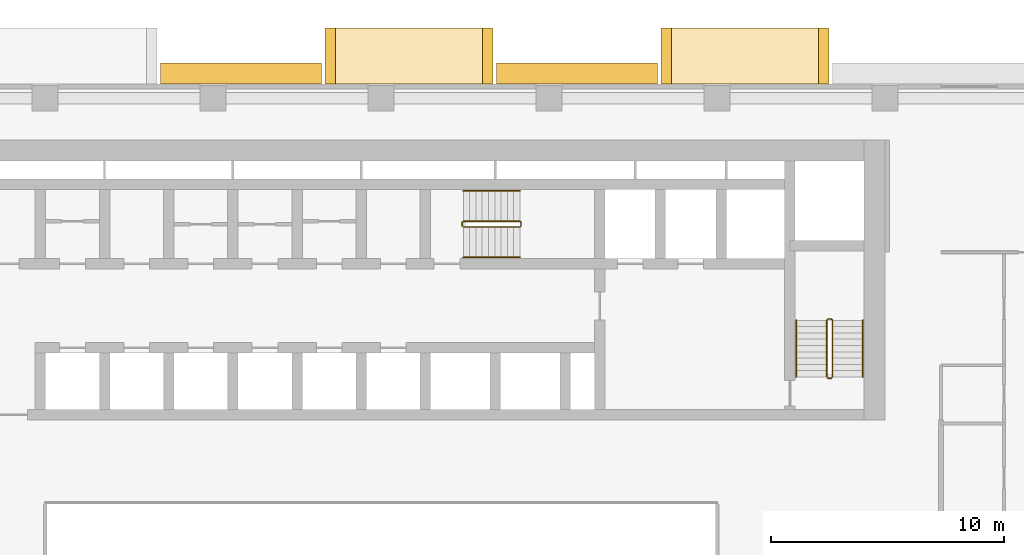
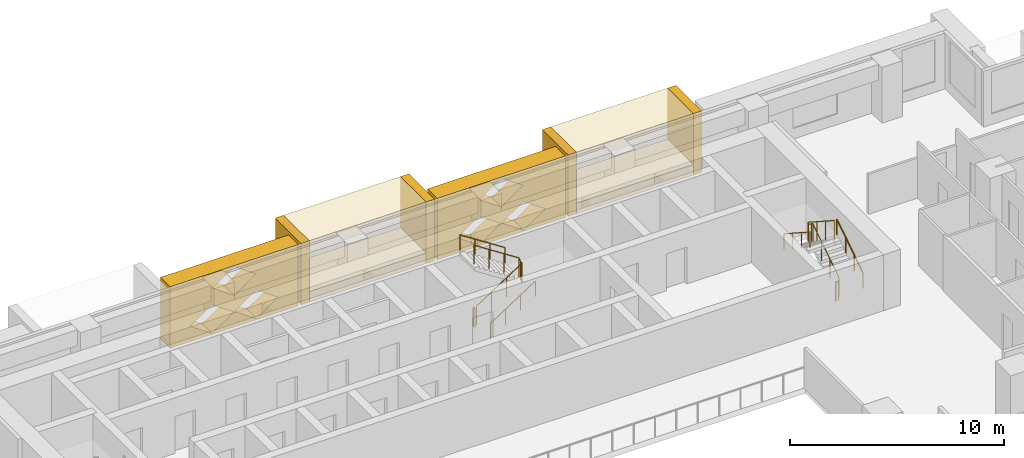
# One storey, part 16 of 17: 10 coverings, 8 railings.
"""IFC4 building model written with IfcOpenShell, lengths in metres."""

from ifc_helpers import new_model, si_unit, direction, frame, origin, origin_2d, place, context, subcontext, project, spatial, polyline, circle, outline, extrude, material, type_object, element, save


model = new_model("IFC4")

# Units and contexts
model_context = context("Model", 3, precision=1e-05, world=origin(), true_north=direction((0.0, 1.0)))
body_context = subcontext(model_context, "Body", "Model", "MODEL_VIEW")
ifc_project = project(units=[si_unit("LENGTHUNIT", "METRE"), si_unit("AREAUNIT", "SQUARE_METRE"), si_unit("VOLUMEUNIT", "CUBIC_METRE"), si_unit("PLANEANGLEUNIT", "RADIAN"), si_unit("MASSUNIT", "GRAM", prefix="KILO")], contexts=[model_context])

# Site, building, storey
site_placement = place(None, origin())
site = spatial("IfcSite", under=ifc_project, at=site_placement, CompositionType="ELEMENT")
building_placement = place(site_placement, origin())
building = spatial("IfcBuilding", under=site, at=building_placement, Name="Saffron Iwan Residences", CompositionType="ELEMENT")
storey_placement = place(building_placement, frame((0.0, 0.0, 37.5)))
storey = spatial("IfcBuildingStorey", under=building, at=storey_placement, Name="L08", CompositionType="ELEMENT", Elevation=37.5)

# Coverings
ifc_material_1 = material(Name="Precast concrete C40/50", Category="concrete")
covering_type_1 = type_object("IfcCoveringType", Name="OUTER SKIN LATTICE SCREEN", PredefinedType="CLADDING", material=ifc_material_1)
for number, where, z_axis, x_axis, name in (
    (1, (62.25, 80.39990234375, -0.320068359375), (0.0, 1.0, 0.0), (-1.0, 0.0, 0.0), "OUTER SKIN lattice screen L08 F5.1"),
    (2, (47.85009765625, 80.39990234375, -0.320068359375), (0.0, 1.0, 0.0), (-1.0, 0.0, 0.0), "OUTER SKIN lattice screen L08 F5.2"),
):
    element("IfcCovering", number, at=place(storey_placement, frame(where, z_axis=z_axis, x_axis=x_axis)), inside=storey, type_object=covering_type_1, Name=name, PredefinedType="CLADDING", context=body_context, shape_type="SweptSolid", body=[
        extrude(outline(polyline([(0.0, 0.0), (6.89990234375, 0.0), (6.89990234375, 3.5), (0.0, 3.5), (0.0, 0.0)]), holes=[polyline([(1.070068359375, 0.875), (2.25, 0.06005859375), (3.429931640625, 0.875), (2.25, 1.68994140625), (1.070068359375, 0.875)]), polyline([(3.469970703125, 0.875), (4.64990234375, 0.06005859375), (5.830078125, 0.875), (4.64990234375, 1.68994140625), (3.469970703125, 0.875)]), polyline([(2.27001953125, 2.625), (3.449951171875, 1.81005859375), (4.6298828125, 2.625), (3.449951171875, 3.43994140625), (2.27001953125, 2.625)])]), origin(), (0.0, 0.0, 1.0), 0.900146484375),
    ])

# Railings
ifc_material_2 = material(Name="Steel S355", Category="steel")
railing_type_1 = type_object("IfcRailingType", Name="Stair guard 1100", PredefinedType="GUARDRAIL", material=ifc_material_2)
railing_1_placement = place(storey_placement, frame((53.925048828125, 74.27490234375, 0.175048828125)))
element("IfcRailing", 3, at=railing_1_placement, inside=storey, type_object=railing_type_1, Name="L08 ST-C stair guard 1", PredefinedType="GUARDRAIL", context=body_context, shape_type="SweptSolid", body=[
    extrude(circle(Radius=0.02392578125, at=origin_2d()), frame((0.0, 0.0, 1.076171875), z_axis=(0.839153699163, 0.0, 0.543894354798), x_axis=(0.0, 1.0, 0.0)), (0.0, 0.0, 1.0), 2.895751953125),
    extrude(circle(Radius=0.02392578125, at=origin_2d()), frame((2.429931640625, 0.0, 2.65087890625), z_axis=(0.707106781187, 0.707106781187, 0.0), x_axis=(-0.707106781187, 0.707106781187, 0.0)), (0.0, 0.0, 1.0), 0.07080078125),
    extrude(circle(Radius=0.02392578125, at=origin_2d()), frame((2.47998046875, 0.050048828125, 2.65087890625), z_axis=(0.0, 1.0, 0.0), x_axis=(-1.0, 0.0, 0.0)), (0.0, 0.0, 1.0), 0.150146484375),
    extrude(circle(Radius=0.02392578125, at=origin_2d()), frame((2.47998046875, 0.2001953125, 2.65087890625), z_axis=(-0.265155923931, 0.263862480399, 0.927399011991), x_axis=(-0.705375805398, -0.708833529934, 0.0)), (0.0, 0.0, 1.0), 0.188720703125),
    extrude(circle(Radius=0.02392578125, at=origin_2d()), frame((2.429931640625, 0.25, 2.826171875), z_axis=(-0.839153699163, 0.0, 0.543894354798), x_axis=(0.0, -1.0, 0.0)), (0.0, 0.0, 1.0), 2.895751953125),
    extrude(circle(Radius=0.02099609375, at=origin_2d()), origin(), (0.0, 0.0, 1.0), 1.052001953125),
    extrude(circle(Radius=0.02099609375, at=origin_2d()), frame((0.81005859375, 0.0, 0.52490234375)), (0.0, 0.0, 1.0), 1.052001953125),
    extrude(circle(Radius=0.02099609375, at=origin_2d()), frame((1.619873046875, 0.0, 1.050048828125)), (0.0, 0.0, 1.0), 1.052001953125),
    extrude(circle(Radius=0.02099609375, at=origin_2d()), frame((2.429931640625, 0.0, 1.574951171875)), (0.0, 0.0, 1.0), 1.052001953125),
    extrude(circle(Radius=0.02099609375, at=origin_2d()), frame((2.47998046875, 0.050048828125, 1.574951171875)), (0.0, 0.0, 1.0), 1.052001953125),
    extrude(circle(Radius=0.02099609375, at=origin_2d()), frame((2.47998046875, 0.2001953125, 1.574951171875)), (0.0, 0.0, 1.0), 1.052001953125),
    extrude(circle(Radius=0.02099609375, at=origin_2d()), frame((2.429931640625, 0.25, 1.75)), (0.0, 0.0, 1.0), 1.052001953125),
    extrude(circle(Radius=0.02099609375, at=origin_2d()), frame((1.619873046875, 0.25, 2.27490234375)), (0.0, 0.0, 1.0), 1.052001953125),
    extrude(circle(Radius=0.02099609375, at=origin_2d()), frame((0.81005859375, 0.25, 2.800048828125)), (0.0, 0.0, 1.0), 1.052001953125),
    extrude(circle(Radius=0.02099609375, at=origin_2d()), frame((0.0, 0.25, 3.324951171875)), (0.0, 0.0, 1.0), 1.052001953125),
])
railing_2_placement = place(storey_placement, frame((53.875, 74.324951171875, 0.0)))
element("IfcRailing", 4, at=railing_2_placement, inside=storey, type_object=railing_type_1, Name="L08 ST-C stair guard 2", PredefinedType="GUARDRAIL", context=body_context, shape_type="SweptSolid", body=[
    extrude(circle(Radius=0.02392578125, at=origin_2d()), frame((0.0, 0.0, 1.076171875), z_axis=(0.0, 1.0, 0.0), x_axis=(-1.0, 0.0, 0.0)), (0.0, 0.0, 1.0), 0.150146484375),
    extrude(circle(Radius=0.02099609375, at=origin_2d()), origin(), (0.0, 0.0, 1.0), 1.052001953125),
    extrude(circle(Radius=0.02099609375, at=origin_2d()), frame((0.0, 0.150146484375, 0.0)), (0.0, 0.0, 1.0), 1.052001953125),
])
railing_3_placement = place(storey_placement, frame((69.75, 67.85009765625, 0.175048828125)))
element("IfcRailing", 5, at=railing_3_placement, inside=storey, type_object=railing_type_1, Name="L08 ST-E stair guard 1", PredefinedType="GUARDRAIL", context=body_context, shape_type="SweptSolid", body=[
    extrude(circle(Radius=0.02392578125, at=origin_2d()), frame((0.0, 0.0, 1.076171875), z_axis=(0.0, 0.839153699163, 0.543894354798), x_axis=(-1.0, 0.0, 0.0)), (0.0, 0.0, 1.0), 2.895751953125),
    extrude(circle(Radius=0.02392578125, at=origin_2d()), frame((0.0, 2.429931640625, 2.65087890625), z_axis=(-0.707106781187, 0.707106781187, 0.0), x_axis=(-0.707106781187, -0.707106781187, 0.0)), (0.0, 0.0, 1.0), 0.07080078125),
    extrude(circle(Radius=0.02392578125, at=origin_2d()), frame((-0.050048828125, 2.47998046875, 2.65087890625), z_axis=(-1.0, 0.0, 0.0), x_axis=(0.0, -1.0, 0.0)), (0.0, 0.0, 1.0), 0.14990234375),
    extrude(circle(Radius=0.02392578125, at=origin_2d()), frame((-0.199951171875, 2.47998046875, 2.65087890625), z_axis=(-0.265065253269, -0.265065253269, 0.927081885822), x_axis=(0.707106781187, -0.707106781187, 0.0)), (0.0, 0.0, 1.0), 0.188720703125),
    extrude(circle(Radius=0.02392578125, at=origin_2d()), frame((-0.25, 2.429931640625, 2.826171875), z_axis=(0.0, -0.839153699163, 0.543894354798), x_axis=(1.0, 0.0, 0.0)), (0.0, 0.0, 1.0), 2.895751953125),
    extrude(circle(Radius=0.02099609375, at=origin_2d()), origin(), (0.0, 0.0, 1.0), 1.052001953125),
    extrude(circle(Radius=0.02099609375, at=origin_2d()), frame((0.0, 0.81005859375, 0.52490234375)), (0.0, 0.0, 1.0), 1.052001953125),
    extrude(circle(Radius=0.02099609375, at=origin_2d()), frame((0.0, 1.619873046875, 1.050048828125)), (0.0, 0.0, 1.0), 1.052001953125),
    extrude(circle(Radius=0.02099609375, at=origin_2d()), frame((0.0, 2.429931640625, 1.574951171875)), (0.0, 0.0, 1.0), 1.052001953125),
    extrude(circle(Radius=0.02099609375, at=origin_2d()), frame((-0.050048828125, 2.47998046875, 1.574951171875)), (0.0, 0.0, 1.0), 1.052001953125),
    extrude(circle(Radius=0.02099609375, at=origin_2d()), frame((-0.199951171875, 2.47998046875, 1.574951171875)), (0.0, 0.0, 1.0), 1.052001953125),
    extrude(circle(Radius=0.02099609375, at=origin_2d()), frame((-0.25, 2.429931640625, 1.75)), (0.0, 0.0, 1.0), 1.052001953125),
    extrude(circle(Radius=0.02099609375, at=origin_2d()), frame((-0.25, 1.619873046875, 2.27490234375)), (0.0, 0.0, 1.0), 1.052001953125),
    extrude(circle(Radius=0.02099609375, at=origin_2d()), frame((-0.25, 0.81005859375, 2.800048828125)), (0.0, 0.0, 1.0), 1.052001953125),
    extrude(circle(Radius=0.02099609375, at=origin_2d()), frame((-0.25, 0.0, 3.324951171875)), (0.0, 0.0, 1.0), 1.052001953125),
])
railing_4_placement = place(storey_placement, frame((69.699951171875, 67.800048828125, 0.0)))
element("IfcRailing", 6, at=railing_4_placement, inside=storey, type_object=railing_type_1, Name="L08 ST-E stair guard 2", PredefinedType="GUARDRAIL", context=body_context, shape_type="SweptSolid", body=[
    extrude(circle(Radius=0.02392578125, at=origin_2d()), frame((0.0, 0.0, 1.076171875), z_axis=(-1.0, 0.0, 0.0), x_axis=(0.0, -1.0, 0.0)), (0.0, 0.0, 1.0), 0.14990234375),
    extrude(circle(Radius=0.02099609375, at=origin_2d()), origin(), (0.0, 0.0, 1.0), 1.052001953125),
    extrude(circle(Radius=0.02099609375, at=origin_2d()), frame((-0.14990234375, 0.0, 0.0)), (0.0, 0.0, 1.0), 1.052001953125),
])
ifc_material_3 = material(Name="Stainless steel 316", Category="steel")
railing_type_2 = type_object("IfcRailingType", Name="Stair handrail 900", PredefinedType="HANDRAIL", material=ifc_material_3)
railing_5_placement = place(storey_placement, frame((53.925048828125, 72.97509765625, 0.175048828125)))
element("IfcRailing", 7, at=railing_5_placement, inside=storey, type_object=railing_type_2, Name="L08 ST-C stair handrail 1", PredefinedType="HANDRAIL", context=body_context, shape_type="SweptSolid", body=[
    extrude(circle(Radius=0.02392578125, at=origin_2d()), frame((0.0, 0.0, 0.8759765625), z_axis=(0.839153699163, 0.0, 0.543894354798), x_axis=(0.0, 1.0, 0.0)), (0.0, 0.0, 1.0), 2.895751953125),
    extrude(circle(Radius=0.02099609375, at=origin_2d()), origin(), (0.0, 0.0, 1.0), 0.851806640625),
    extrude(circle(Radius=0.02099609375, at=origin_2d()), frame((0.81005859375, 0.0, 0.52490234375)), (0.0, 0.0, 1.0), 0.851806640625),
    extrude(circle(Radius=0.02099609375, at=origin_2d()), frame((1.619873046875, 0.0, 1.050048828125)), (0.0, 0.0, 1.0), 0.851806640625),
    extrude(circle(Radius=0.02099609375, at=origin_2d()), frame((2.429931640625, 0.0, 1.574951171875)), (0.0, 0.0, 1.0), 0.851806640625),
])
railing_6_placement = place(storey_placement, frame((56.35498046875, 75.824951171875, 1.925048828125)))
element("IfcRailing", 8, at=railing_6_placement, inside=storey, type_object=railing_type_2, Name="L08 ST-C stair handrail 2", PredefinedType="HANDRAIL", context=body_context, shape_type="SweptSolid", body=[
    extrude(circle(Radius=0.02392578125, at=origin_2d()), frame((0.0, 0.0, 0.8759765625), z_axis=(-0.839153699163, 0.0, 0.543894354798), x_axis=(0.0, -1.0, 0.0)), (0.0, 0.0, 1.0), 2.895751953125),
    extrude(circle(Radius=0.02099609375, at=origin_2d()), origin(), (0.0, 0.0, 1.0), 0.851806640625),
    extrude(circle(Radius=0.02099609375, at=origin_2d()), frame((-0.81005859375, 0.0, 0.52490234375)), (0.0, 0.0, 1.0), 0.851806640625),
    extrude(circle(Radius=0.02099609375, at=origin_2d()), frame((-1.619873046875, 0.0, 1.050048828125)), (0.0, 0.0, 1.0), 0.851806640625),
    extrude(circle(Radius=0.02099609375, at=origin_2d()), frame((-2.429931640625, 0.0, 1.574951171875)), (0.0, 0.0, 1.0), 0.851806640625),
])
railing_7_placement = place(storey_placement, frame((71.050048828125, 67.85009765625, 0.175048828125)))
element("IfcRailing", 9, at=railing_7_placement, inside=storey, type_object=railing_type_2, Name="L08 ST-E stair handrail 1", PredefinedType="HANDRAIL", context=body_context, shape_type="SweptSolid", body=[
    extrude(circle(Radius=0.02392578125, at=origin_2d()), frame((0.0, 0.0, 0.8759765625), z_axis=(0.0, 0.839153699163, 0.543894354798), x_axis=(-1.0, 0.0, 0.0)), (0.0, 0.0, 1.0), 2.895751953125),
    extrude(circle(Radius=0.02099609375, at=origin_2d()), origin(), (0.0, 0.0, 1.0), 0.851806640625),
    extrude(circle(Radius=0.02099609375, at=origin_2d()), frame((0.0, 0.81005859375, 0.52490234375)), (0.0, 0.0, 1.0), 0.851806640625),
    extrude(circle(Radius=0.02099609375, at=origin_2d()), frame((0.0, 1.619873046875, 1.050048828125)), (0.0, 0.0, 1.0), 0.851806640625),
    extrude(circle(Radius=0.02099609375, at=origin_2d()), frame((0.0, 2.429931640625, 1.574951171875)), (0.0, 0.0, 1.0), 0.851806640625),
])
railing_8_placement = place(storey_placement, frame((68.199951171875, 70.280029296875, 1.925048828125)))
element("IfcRailing", 10, at=railing_8_placement, inside=storey, type_object=railing_type_2, Name="L08 ST-E stair handrail 2", PredefinedType="HANDRAIL", context=body_context, shape_type="SweptSolid", body=[
    extrude(circle(Radius=0.02392578125, at=origin_2d()), frame((0.0, 0.0, 0.8759765625), z_axis=(0.0, -0.839153699163, 0.543894354798), x_axis=(1.0, 0.0, 0.0)), (0.0, 0.0, 1.0), 2.895751953125),
    extrude(circle(Radius=0.02099609375, at=origin_2d()), origin(), (0.0, 0.0, 1.0), 0.851806640625),
    extrude(circle(Radius=0.02099609375, at=origin_2d()), frame((0.0, -0.81005859375, 0.52490234375)), (0.0, 0.0, 1.0), 0.851806640625),
    extrude(circle(Radius=0.02099609375, at=origin_2d()), frame((0.0, -1.619873046875, 1.050048828125)), (0.0, 0.0, 1.0), 0.851806640625),
    extrude(circle(Radius=0.02099609375, at=origin_2d()), frame((0.0, -2.429931640625, 1.574951171875)), (0.0, 0.0, 1.0), 0.851806640625),
])

# Coverings
ifc_material_4 = material(Name="Precast concrete C40/50 white painted", Category="concrete")
covering_type_2 = type_object("IfcCoveringType", Name="WHITE SUN FRAME PRECAST", PredefinedType="CLADDING", material=ifc_material_4)
for number, where, z_axis, x_axis, name in (
    (11, (69.60009765625, 80.39990234375, -0.320068359375), (0.0, 1.0, 0.0), (-1.0, 0.0, 0.0), "Sun frame L08 F5 13.2a"),
    (12, (62.85009765625, 80.39990234375, -0.320068359375), (0.0, 1.0, 0.0), (-1.0, 0.0, 0.0), "Sun frame L08 F5 13.2b"),
):
    element("IfcCovering", number, at=place(storey_placement, frame(where, z_axis=z_axis, x_axis=x_axis)), inside=storey, type_object=covering_type_2, Name=name, PredefinedType="CLADDING", context=body_context, shape_type="SweptSolid", body=[
        extrude(outline(polyline([(0.0, 0.0), (0.449951171875, 0.0), (0.449951171875, 3.5), (0.0, 3.5), (0.0, 0.0)])), origin(), (0.0, 0.0, 1.0), 2.400146484375),
    ])
for number, where, z_axis, x_axis, name in (
    (13, (69.14990234375, 80.39990234375, 2.580078125), (0.0, 1.0, 0.0), (-1.0, 0.0, 0.0), "Sun frame L08 F5 13.2h"),
    (14, (69.14990234375, 80.39990234375, -0.320068359375), (0.0, 1.0, 0.0), (-1.0, 0.0, 0.0), "Sun frame L08 F5 13.2s"),
):
    element("IfcCovering", number, at=place(storey_placement, frame(where, z_axis=z_axis, x_axis=x_axis)), inside=storey, type_object=covering_type_2, Name=name, PredefinedType="CLADDING", context=body_context, shape_type="SweptSolid", body=[
        extrude(outline(polyline([(0.0, 0.0), (6.300048828125, 0.0), (6.300048828125, 0.60009765625), (0.0, 0.60009765625), (0.0, 0.0)])), origin(), (0.0, 0.0, 1.0), 2.400146484375),
    ])
for number, where, z_axis, x_axis, name in (
    (15, (55.199951171875, 80.39990234375, -0.320068359375), (0.0, 1.0, 0.0), (-1.0, 0.0, 0.0), "Sun frame L08 F5 27.6a"),
    (16, (48.449951171875, 80.39990234375, -0.320068359375), (0.0, 1.0, 0.0), (-1.0, 0.0, 0.0), "Sun frame L08 F5 27.6b"),
):
    element("IfcCovering", number, at=place(storey_placement, frame(where, z_axis=z_axis, x_axis=x_axis)), inside=storey, type_object=covering_type_2, Name=name, PredefinedType="CLADDING", context=body_context, shape_type="SweptSolid", body=[
        extrude(outline(polyline([(0.0, 0.0), (0.449951171875, 0.0), (0.449951171875, 3.5), (0.0, 3.5), (0.0, 0.0)])), origin(), (0.0, 0.0, 1.0), 2.400146484375),
    ])
for number, where, z_axis, x_axis, name in (
    (17, (54.75, 80.39990234375, 2.580078125), (0.0, 1.0, 0.0), (-1.0, 0.0, 0.0), "Sun frame L08 F5 27.6h"),
    (18, (54.75, 80.39990234375, -0.320068359375), (0.0, 1.0, 0.0), (-1.0, 0.0, 0.0), "Sun frame L08 F5 27.6s"),
):
    element("IfcCovering", number, at=place(storey_placement, frame(where, z_axis=z_axis, x_axis=x_axis)), inside=storey, type_object=covering_type_2, Name=name, PredefinedType="CLADDING", context=body_context, shape_type="SweptSolid", body=[
        extrude(outline(polyline([(0.0, 0.0), (6.300048828125, 0.0), (6.300048828125, 0.60009765625), (0.0, 0.60009765625), (0.0, 0.0)])), origin(), (0.0, 0.0, 1.0), 2.400146484375),
    ])

save(model, "model.ifc")
